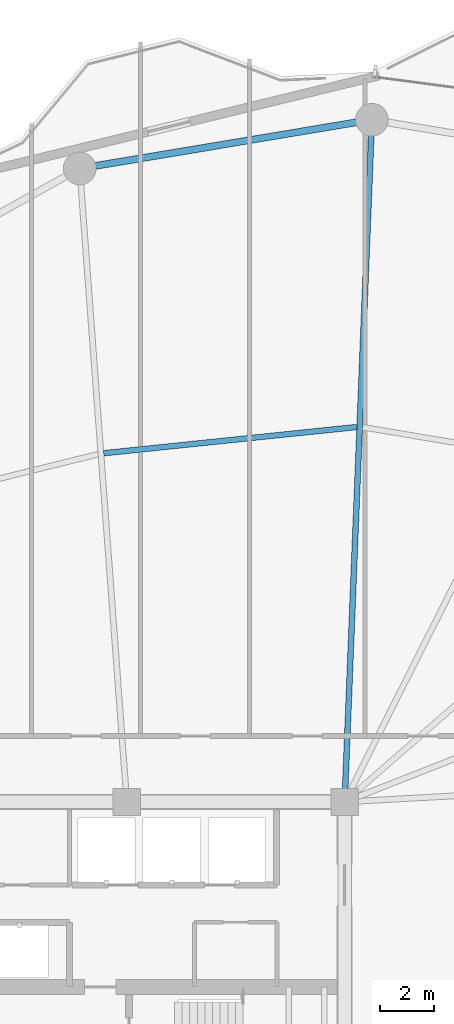
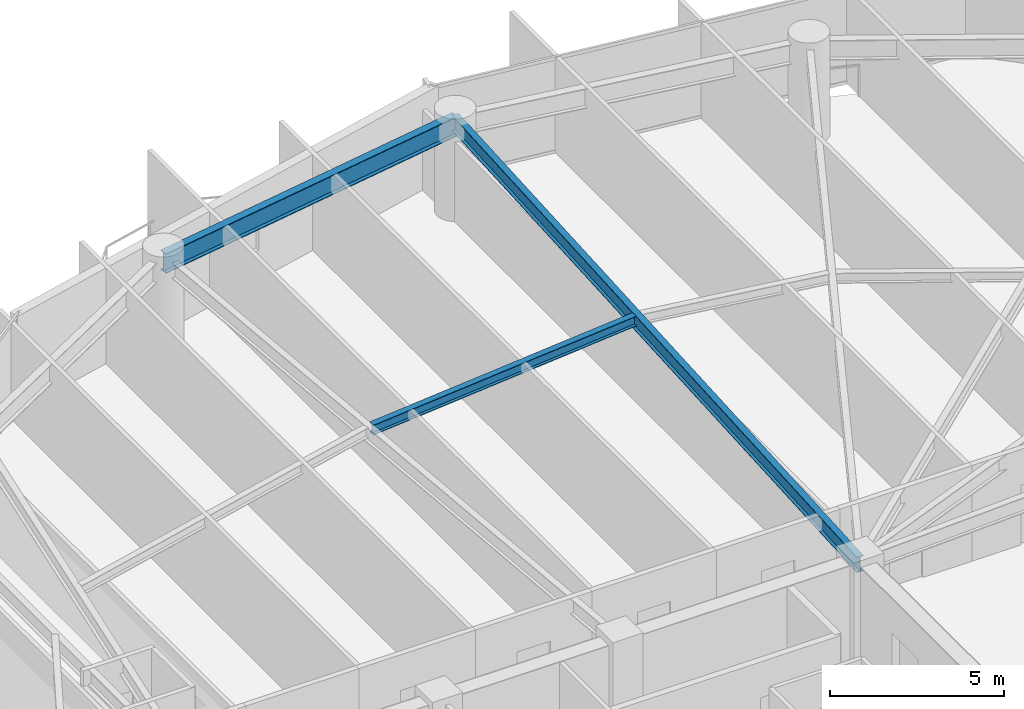
# One storey, part 19 of 31: 3 beams.
"""IFC4 building model written with IfcOpenShell, lengths in metres."""

from ifc_helpers import new_model, si_unit, direction, frame, origin, origin_2d, place, context, subcontext, project, spatial, i_section, extrude, material, material_profile, profile_set, type_object, element, save


model = new_model("IFC4")

# Units and contexts
model_context = context("Model", 3, precision=1e-05, world=origin(), true_north=direction((0.0, 1.0)))
body_context = subcontext(model_context, "Body", "Model", "MODEL_VIEW")
ifc_project = project(units=[si_unit("LENGTHUNIT", "METRE"), si_unit("AREAUNIT", "SQUARE_METRE"), si_unit("VOLUMEUNIT", "CUBIC_METRE"), si_unit("PLANEANGLEUNIT", "RADIAN"), si_unit("MASSUNIT", "GRAM", prefix="KILO")], contexts=[model_context])

# Site, building, storey
site_placement = place(None, origin())
site = spatial("IfcSite", under=ifc_project, at=site_placement, CompositionType="ELEMENT")
building_placement = place(site_placement, origin())
building = spatial("IfcBuilding", under=site, at=building_placement, Name="Kazevale Care Tower and Concert Hall", CompositionType="ELEMENT")
storey_placement = place(building_placement, frame((0.0, 0.0, 124.199951171875)))
storey = spatial("IfcBuildingStorey", under=building, at=storey_placement, Name="L32", CompositionType="ELEMENT", Elevation=124.199951171875)

# Beams
ifc_material = material(Name="Steel ASTM A572 Gr 50", Category="steel")
ifc_material_profile_1 = material_profile(ifc_material, i_section(OverallWidth=0.2119140625, OverallDepth=0.5439453125, WebThickness=0.01318359375, FlangeThickness=0.021240234375, at=origin_2d()), Name="W530x123")
ifc_profile_set_1 = profile_set([ifc_material_profile_1], Name="Steel ASTM A572 Gr 50")
beam_type_1 = type_object("IfcBeamType", Name="Radial Floor Girder W530x123", PredefinedType="BEAM", material=ifc_profile_set_1)
beam_1_placement = place(storey_placement, frame((44.0, 36.39990234375, 3.088134765625), z_axis=(0.039888311255, 0.99920414462, 0.0), x_axis=(-0.99920414462, 0.039888311255, 0.0)))
element("IfcBeam", 1, at=beam_1_placement, inside=storey, type_object=beam_type_1, Name="beam:L32:rad:05", PredefinedType="BEAM", context=body_context, shape_type="SweptSolid", body=[
    extrude(i_section(OverallWidth=0.2119140625, OverallDepth=0.5439453125, WebThickness=0.01318359375, FlangeThickness=0.021240234375, at=origin_2d()), origin(), (0.0, 0.0, 1.0), 25.070068359375),
])
ifc_material_profile_2 = material_profile(ifc_material, i_section(OverallWidth=0.205078125, OverallDepth=0.35400390625, WebThickness=0.009521484375, FlangeThickness=0.016845703125, at=origin_2d()), Name="W360x79")
ifc_profile_set_2 = profile_set([ifc_material_profile_2], Name="Steel ASTM A572 Gr 50")
beam_type_2 = type_object("IfcBeamType", Name="Secondary Floor Joist W360x79", PredefinedType="JOIST", material=ifc_profile_set_2)
beam_2_placement = place(storey_placement, frame((44.446044921875, 50.1669921875, 3.18310546875), z_axis=(-0.994674810104, -0.10306319491, 0.0), x_axis=(0.10306319491, -0.994674810104, 0.0)))
element("IfcBeam", 2, at=beam_2_placement, inside=storey, type_object=beam_type_2, Name="beam:L32:joist:05", PredefinedType="JOIST", context=body_context, shape_type="SweptSolid", body=[
    extrude(i_section(OverallWidth=0.205078125, OverallDepth=0.35400390625, WebThickness=0.009521484375, FlangeThickness=0.016845703125, at=origin_2d()), origin(), (0.0, 0.0, 1.0), 9.3427734375),
])
ifc_material_profile_3 = material_profile(ifc_material, i_section(OverallWidth=0.256103515625, OverallDepth=0.693115234375, WebThickness=0.014404296875, FlangeThickness=0.023681640625, at=origin_2d()), Name="W690x170")
ifc_profile_set_3 = profile_set([ifc_material_profile_3], Name="Steel ASTM A572 Gr 50")
beam_type_3 = type_object("IfcBeamType", Name="Waist Ring Beam W690x170", PredefinedType="BEAM", material=ifc_profile_set_3)
beam_3_placement = place(storey_placement, frame((45.0, 61.449951171875, 3.013427734375), z_axis=(-0.986368436187, -0.164551840139, 0.0), x_axis=(0.164551840139, -0.986368436187, 0.0)))
element("IfcBeam", 3, at=beam_3_placement, inside=storey, type_object=beam_type_3, Name="beam:L32:ring:05", PredefinedType="BEAM", context=body_context, shape_type="SweptSolid", body=[
    extrude(i_section(OverallWidth=0.256103515625, OverallDepth=0.693115234375, WebThickness=0.014404296875, FlangeThickness=0.023681640625, at=origin_2d()), origin(), (0.0, 0.0, 1.0), 10.878173828125),
])

save(model, "model.ifc")
